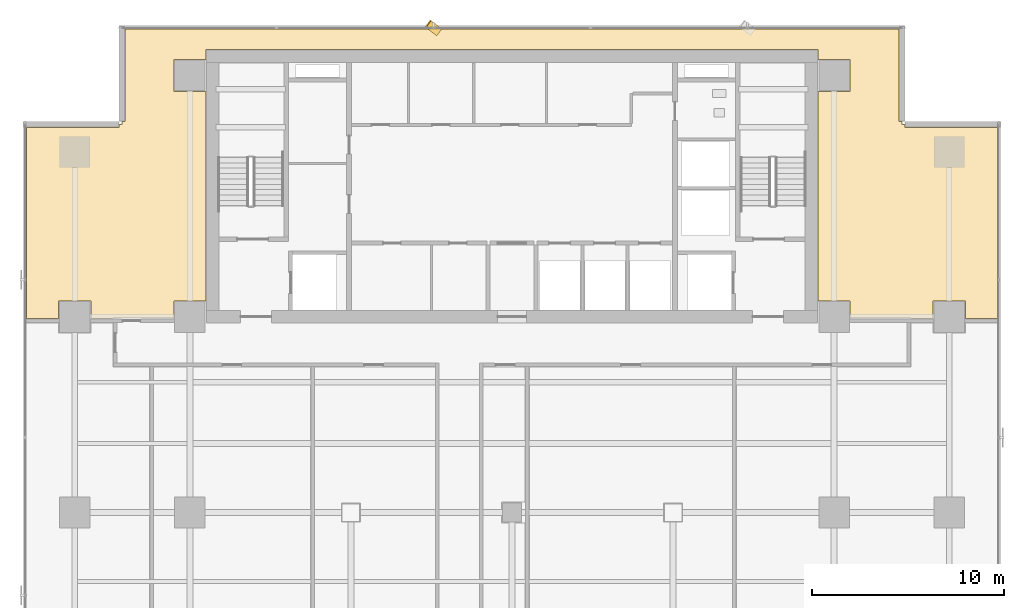
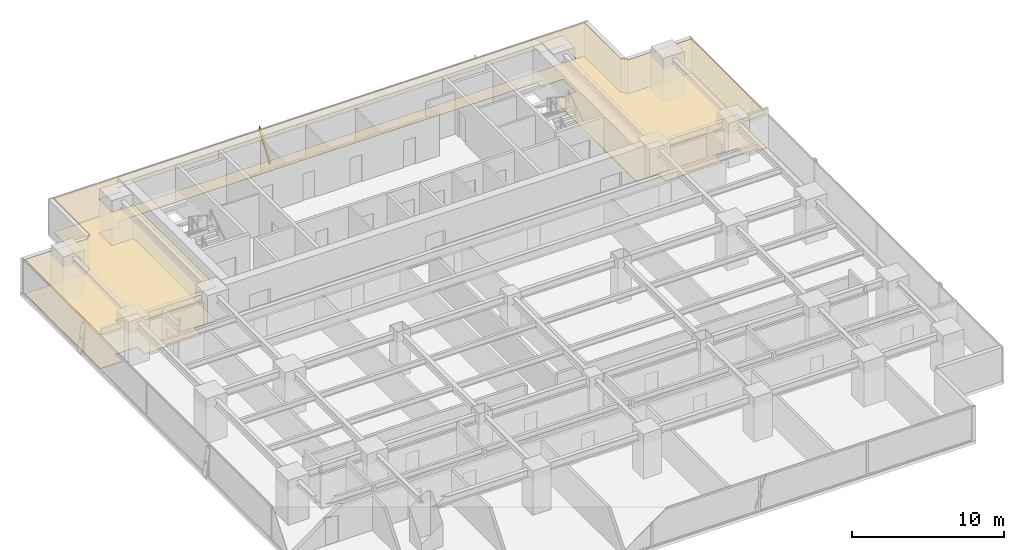
# One storey, part 34 of 36: 2 coverings, 1 shading device.
"""IFC4 building model written with IfcOpenShell, lengths in metres."""

import ifcopenshell
import ifcopenshell.guid

model = None  # the IFC model being written
_history = None  # IfcOwnerHistory: only IFC2X3 demands one
_inside = {}  # id of a spatial element -> (the spatial element, [elements in it])
_under = {}  # id of a project, library or spatial element -> (it, [spatial elements below it])
_declared = {}  # id of a project -> (the project, [libraries it declares])
_typed = {}  # id of a type object -> (the type object, [elements of that type])
_made_of = {}  # id of a material, layer set ... -> (it, [elements and type objects made of it])


def new_model(schema):
    """Start an empty IFC model of exactly this schema.

    Asked for "IFC4X3", IfcOpenShell would pick the latest addendum, in which some entities
    have other attributes; the version numbers below select the first issue.
    IFC2X3 requires an IfcOwnerHistory on every rooted entity: one is made here for all.
    """
    global model, _history
    if schema == "IFC4X3":
        model = ifcopenshell.file(schema_version=(4, 3, 0, 0))
    else:
        model = ifcopenshell.file(schema=schema)
    _inside.clear()
    _under.clear()
    _declared.clear()
    _typed.clear()
    _made_of.clear()
    _history = None
    if model.schema == "IFC2X3":
        org = make("IfcOrganization", Name="unknown")
        user = make(
            "IfcPersonAndOrganization",
            ThePerson=make("IfcPerson", FamilyName="unknown"),
            TheOrganization=org,
        )
        app = make(
            "IfcApplication",
            ApplicationDeveloper=org,
            Version="unknown",
            ApplicationFullName="unknown",
            ApplicationIdentifier="unknown",
        )
        _history = make(
            "IfcOwnerHistory",
            OwningUser=user,
            OwningApplication=app,
            ChangeAction="ADDED",
            CreationDate=0,
        )
    return model


def make(cls, **values):
    """One entity of the class cls with the attributes given. An attribute that is None is left unset."""
    return model.create_entity(
        cls, **{name: value for name, value in values.items() if value is not None}
    )


def rooted(cls, **values):
    """An entity with a GlobalId (a new one), such as an element, a storey or a relation."""
    return make(cls, GlobalId=ifcopenshell.guid.new(), OwnerHistory=_history, **values)


def si_unit(unit_type, name, prefix=None):
    """IfcSIUnit, for example si_unit("LENGTHUNIT", "METRE", prefix="MILLI")."""
    return make("IfcSIUnit", UnitType=unit_type, Prefix=prefix, Name=name)


def assignment(units):
    """IfcUnitAssignment: the units of a project."""
    return None if units is None else make("IfcUnitAssignment", Units=units)


def point(xyz):
    """IfcCartesianPoint."""
    return None if xyz is None else make("IfcCartesianPoint", Coordinates=xyz)


def direction(xyz):
    """IfcDirection."""
    return None if xyz is None else make("IfcDirection", DirectionRatios=xyz)


def frame(location, z_axis=None, x_axis=None):
    """IfcAxis2Placement3D, a coordinate frame: its origin and axes. An axis left out is left unset."""
    return make(
        "IfcAxis2Placement3D",
        Location=point(location),
        Axis=direction(z_axis),
        RefDirection=direction(x_axis),
    )


def frame_2d(location, x_axis=None):
    """IfcAxis2Placement2D, a coordinate frame in the plane: its origin and x axis."""
    return make(
        "IfcAxis2Placement2D", Location=point(location), RefDirection=direction(x_axis)
    )


def origin():
    """The frame at (0, 0, 0) with its axes left unset."""
    return frame((0.0, 0.0, 0.0))


def origin_2d():
    """The frame at (0, 0) in the plane with its x axis left unset."""
    return frame_2d((0.0, 0.0))


def place(relative_to, where):
    """IfcLocalPlacement: puts the frame where relative to a parent placement (None: the world)."""
    return make(
        "IfcLocalPlacement", PlacementRelTo=relative_to, RelativePlacement=where
    )


def context(
    kind, dimensions, precision=None, world=None, true_north=None, identifier=None
):
    """IfcGeometricRepresentationContext, for example the 3D "Model" context."""
    return make(
        "IfcGeometricRepresentationContext",
        ContextIdentifier=identifier,
        ContextType=kind,
        CoordinateSpaceDimension=dimensions,
        Precision=precision,
        WorldCoordinateSystem=world,
        TrueNorth=true_north,
    )


def subcontext(parent, identifier, kind, view, scale=None):
    """IfcGeometricRepresentationSubContext, for example "Body" below "Model"."""
    return make(
        "IfcGeometricRepresentationSubContext",
        ContextIdentifier=identifier,
        ContextType=kind,
        ParentContext=parent,
        TargetScale=scale,
        TargetView=view,
    )


def project(units=None, contexts=None):
    """IfcProject with its units and contexts."""
    return rooted(
        "IfcProject",
        Name="project",
        RepresentationContexts=contexts,
        UnitsInContext=assignment(units),
    )


def spatial(cls, under=None, at=None, **own):
    """A site, building, storey or space (cls), placed at a placement, below another one or the project."""
    s = rooted(cls, ObjectPlacement=at, **own)
    if under is not None:
        _under.setdefault(under.id(), (under, []))[1].append(s)
    return s


def polyline(points):
    """IfcPolyline through the points."""
    return make("IfcPolyline", Points=[point(p) for p in points])


def profile(cls, at=None, kind="AREA", **sizes):
    """A parametric profile (cls). Its sizes go by their IFC names, for example OverallWidth=200.0."""
    return make(cls, ProfileType=kind, Position=at, **sizes)


def rectangle(**sizes):
    """IfcRectangleProfileDef."""
    return profile("IfcRectangleProfileDef", **sizes)


def outline(outer, holes=None, kind="AREA"):
    """IfcArbitraryClosedProfileDef: a profile drawn as a closed curve; with holes, ...WithVoids."""
    if holes is None:
        return make("IfcArbitraryClosedProfileDef", ProfileType=kind, OuterCurve=outer)
    return make(
        "IfcArbitraryProfileDefWithVoids",
        ProfileType=kind,
        OuterCurve=outer,
        InnerCurves=holes,
    )


def extrude(swept, where, along, depth):
    """IfcExtrudedAreaSolid: the profile swept, set in the frame where, extruded along a direction by depth."""
    return make(
        "IfcExtrudedAreaSolid",
        SweptArea=swept,
        Position=where,
        ExtrudedDirection=direction(along),
        Depth=depth,
    )


def shape(context_of_items, identifier, shape_type, items):
    """IfcShapeRepresentation: the items that make up one representation, for example the "Body"."""
    return make(
        "IfcShapeRepresentation",
        ContextOfItems=context_of_items,
        RepresentationIdentifier=identifier,
        RepresentationType=shape_type,
        Items=items,
    )


def source(mapping_origin, context_of_items, identifier, shape_type, items):
    """IfcRepresentationMap: a shape defined once, which mapped items show again and again."""
    return make(
        "IfcRepresentationMap",
        MappingOrigin=mapping_origin,
        MappedRepresentation=shape(context_of_items, identifier, shape_type, items),
    )


def transform(
    local_origin,
    x_axis=None,
    y_axis=None,
    z_axis=None,
    scale=None,
    scale2=None,
    scale3=None,
    uniform=True,
):
    """IfcCartesianTransformationOperator3D, or its non-uniform kind. x_axis, y_axis, z_axis: its Axis1, 2, 3."""
    if uniform:
        return make(
            "IfcCartesianTransformationOperator3D",
            Axis1=direction(x_axis),
            Axis2=direction(y_axis),
            LocalOrigin=point(local_origin),
            Scale=scale,
            Axis3=direction(z_axis),
        )
    return make(
        "IfcCartesianTransformationOperator3DnonUniform",
        Axis1=direction(x_axis),
        Axis2=direction(y_axis),
        LocalOrigin=point(local_origin),
        Scale=scale,
        Axis3=direction(z_axis),
        Scale2=scale2,
        Scale3=scale3,
    )


def mapped(mapping_source, mapping_target):
    """IfcMappedItem: shows the shape of a source again, moved by a transform."""
    return make(
        "IfcMappedItem", MappingSource=mapping_source, MappingTarget=mapping_target
    )


def material(Name=None, Category=None):
    """IfcMaterial."""
    return make("IfcMaterial", Name=Name, Category=Category)


def layer(
    of_material, thickness, ventilated=None, Name=None, Category=None, Priority=None
):
    """IfcMaterialLayer: one layer of a wall or slab, of a material (None: an air gap)."""
    return make(
        "IfcMaterialLayer",
        Material=of_material,
        LayerThickness=thickness,
        IsVentilated=ventilated,
        Name=Name,
        Category=Category,
        Priority=Priority,
    )


def layer_set(layers, Name=None):
    """IfcMaterialLayerSet."""
    return make("IfcMaterialLayerSet", MaterialLayers=layers, LayerSetName=Name)


def material_profile(
    of_material, cross_section, Name=None, Category=None, Priority=None
):
    """IfcMaterialProfile: a cross section and its material."""
    return make(
        "IfcMaterialProfile",
        Name=Name,
        Material=of_material,
        Profile=cross_section,
        Priority=Priority,
        Category=Category,
    )


def profile_set(profiles, Name=None, composite=None):
    """IfcMaterialProfileSet."""
    return make(
        "IfcMaterialProfileSet",
        Name=Name,
        MaterialProfiles=profiles,
        CompositeProfile=composite,
    )


def made_of(thing, what):
    """Note that an element or type object is made of a material, layer set ...; save() writes the relation."""
    if what is not None:
        _made_of.setdefault(what.id(), (what, []))[1].append(thing)
    return thing


def type_object(cls, material=None, **own):
    """A type object (cls), such as IfcWallType, which elements share."""
    return made_of(rooted(cls, **own), material)


def element(
    cls,
    number,
    at=None,
    inside=None,
    cuts=None,
    type_object=None,
    material=None,
    context=None,
    identifier="Body",
    shape_type=None,
    held_by="IfcProductDefinitionShape",
    body=None,
    shapes=None,
    **own,
):
    """One element of the class cls, such as IfcWall. Its Tag is "e" and its number.

    at: its placement. inside: the storey or other place that contains it. cuts: it is an
    opening in that element (IfcRelVoidsElement). A single representation is given by context,
    identifier, shape_type and body (its items); several are given by shapes. held_by: the class
    of the entity that holds the representations. save() writes the other relations.
    """
    e = rooted(cls, Tag="e%d" % number, ObjectPlacement=at, **own)
    if body is not None:
        shapes = [shape(context, identifier, shape_type, body)]
    if shapes is not None:
        e.Representation = make(held_by, Representations=shapes)
    if inside is not None:
        _inside.setdefault(inside.id(), (inside, []))[1].append(e)
    if cuts is not None:
        rooted(
            "IfcRelVoidsElement", RelatingBuildingElement=cuts, RelatedOpeningElement=e
        )
    if type_object is not None:
        _typed.setdefault(type_object.id(), (type_object, []))[1].append(e)
    return made_of(e, material)


def aggregate(whole, parts):
    """IfcRelAggregates: a whole, such as a stair, and the parts it consists of."""
    return rooted("IfcRelAggregates", RelatingObject=whole, RelatedObjects=parts)


def save(model, path):
    """Write the relations noted so far, then the file.

    IfcRelAggregates (storeys below a building ...), IfcRelContainedInSpatialStructure (elements
    in a storey), IfcRelDefinesByType, IfcRelAssociatesMaterial and IfcRelDeclares: one each for
    every whole, place, type object, material and project.
    """
    for whole, parts in _under.values():
        aggregate(whole, parts)
    for where, things in _inside.values():
        rooted(
            "IfcRelContainedInSpatialStructure",
            RelatedElements=things,
            RelatingStructure=where,
        )
    for kind, things in _typed.values():
        rooted("IfcRelDefinesByType", RelatedObjects=things, RelatingType=kind)
    for what, things in _made_of.values():
        rooted("IfcRelAssociatesMaterial", RelatedObjects=things, RelatingMaterial=what)
    for by, libraries in _declared.values():
        rooted("IfcRelDeclares", RelatingContext=by, RelatedDefinitions=libraries)
    model.write(path)


model = new_model("IFC4")

# Units and contexts
model_context = context("Model", 3, precision=1e-05, world=origin(), true_north=direction((0.0, 1.0)))
body_context = subcontext(model_context, "Body", "Model", "MODEL_VIEW")
ifc_project = project(units=[si_unit("LENGTHUNIT", "METRE"), si_unit("AREAUNIT", "SQUARE_METRE"), si_unit("VOLUMEUNIT", "CUBIC_METRE"), si_unit("PLANEANGLEUNIT", "RADIAN"), si_unit("MASSUNIT", "GRAM", prefix="KILO")], contexts=[model_context])

# Site, building, storey
site_placement = place(None, origin())
site = spatial("IfcSite", under=ifc_project, at=site_placement, CompositionType="ELEMENT")
building_placement = place(site_placement, origin())
building = spatial("IfcBuilding", under=site, at=building_placement, Name="Sumidabori Civic Tower", CompositionType="ELEMENT")
storey_placement = place(building_placement, frame((0.0, 0.0, 113.60009765625)))
storey = spatial("IfcBuildingStorey", under=building, at=storey_placement, Name="L29", CompositionType="ELEMENT", Elevation=113.60009765625)

# Coverings
ifc_material_1 = material(Name="Perforated Timber Acoustic Ceiling", Category="wood")
ifc_layer_1 = layer(ifc_material_1, 0.044921875, Name="Perforated Timber Acoustic Ceiling")
ifc_layer_set_1 = layer_set([ifc_layer_1], Name="Perforated Timber Acoustic Ceiling")
covering_type_1 = type_object("IfcCoveringType", Name="CV-CEIL-AC2", PredefinedType="CEILING", material=ifc_layer_set_1)
covering_1_placement = place(storey_placement, frame((0.0, 0.0, 2.7099609375)))
element("IfcCovering", 1, at=covering_1_placement, inside=storey, type_object=covering_type_1, Name="Room Acoustic Ceiling L29-01", PredefinedType="CEILING", context=body_context, shape_type="SweptSolid", body=[
    extrude(outline(polyline([(-21.9599609375, 10.110107421875), (-21.9599609375, 11.0400390625), (-23.639892578125, 11.0400390625), (-23.639892578125, 10.110107421875), (-25.330078125, 10.110107421875), (-25.330078125, 20.072021484375), (-20.491943359375, 20.072021484375), (-20.491943359375, 20.22998046875), (-20.330078125, 20.22998046875), (-20.330078125, 20.39208984375), (-20.172119140625, 20.39208984375), (-20.172119140625, 25.22998046875), (20.172119140625, 25.22998046875), (20.172119140625, 20.39208984375), (20.330078125, 20.39208984375), (20.330078125, 20.22998046875), (20.491943359375, 20.22998046875), (20.491943359375, 20.072021484375), (25.330078125, 20.072021484375), (25.330078125, 10.110107421875), (23.639892578125, 10.110107421875), (23.639892578125, 11.0400390625), (21.9599609375, 11.0400390625), (21.9599609375, 10.110107421875), (20.800048828125, 10.110107421875), (20.800048828125, 10.14990234375), (17.639892578125, 10.14990234375), (17.639892578125, 11.0400390625), (15.952880859375, 11.0400390625), (15.952880859375, 21.9599609375), (17.639892578125, 21.9599609375), (17.639892578125, 23.639892578125), (15.952880859375, 23.639892578125), (15.952880859375, 24.153076171875), (-15.952880859375, 24.153076171875), (-15.952880859375, 23.639892578125), (-17.639892578125, 23.639892578125), (-17.639892578125, 21.9599609375), (-15.952880859375, 21.9599609375), (-15.952880859375, 11.0400390625), (-17.639892578125, 11.0400390625), (-17.639892578125, 10.14990234375), (-20.800048828125, 10.14990234375), (-20.800048828125, 10.110107421875), (-21.9599609375, 10.110107421875)])), origin(), (0.0, 0.0, 1.0), 0.044921875),
])
ifc_material_2 = material(Name="Honed Terrazzo Tile Flooring")
ifc_layer_2 = layer(ifc_material_2, 0.030029296875, Name="Honed Terrazzo Tile Flooring")
ifc_layer_set_2 = layer_set([ifc_layer_2], Name="Honed Terrazzo Tile Flooring")
covering_type_2 = type_object("IfcCoveringType", Name="CV-FLR-TER", PredefinedType="FLOORING", material=ifc_layer_set_2)
covering_2_placement = place(storey_placement, origin())
element("IfcCovering", 2, at=covering_2_placement, inside=storey, type_object=covering_type_2, Name="Room Terrazzo Floor L29-01", PredefinedType="FLOORING", context=body_context, shape_type="SweptSolid", body=[
    extrude(outline(polyline([(-21.9599609375, 10.110107421875), (-21.9599609375, 11.0400390625), (-23.639892578125, 11.0400390625), (-23.639892578125, 10.110107421875), (-25.330078125, 10.110107421875), (-25.330078125, 20.072021484375), (-20.491943359375, 20.072021484375), (-20.491943359375, 20.22998046875), (-20.330078125, 20.22998046875), (-20.330078125, 20.39208984375), (-20.172119140625, 20.39208984375), (-20.172119140625, 25.22998046875), (20.172119140625, 25.22998046875), (20.172119140625, 20.39208984375), (20.330078125, 20.39208984375), (20.330078125, 20.22998046875), (20.491943359375, 20.22998046875), (20.491943359375, 20.072021484375), (25.330078125, 20.072021484375), (25.330078125, 10.110107421875), (23.639892578125, 10.110107421875), (23.639892578125, 11.0400390625), (21.9599609375, 11.0400390625), (21.9599609375, 10.110107421875), (20.800048828125, 10.110107421875), (20.800048828125, 10.14990234375), (17.639892578125, 10.14990234375), (17.639892578125, 11.0400390625), (15.952880859375, 11.0400390625), (15.952880859375, 21.9599609375), (17.639892578125, 21.9599609375), (17.639892578125, 23.639892578125), (15.952880859375, 23.639892578125), (15.952880859375, 24.153076171875), (-15.952880859375, 24.153076171875), (-15.952880859375, 23.639892578125), (-17.639892578125, 23.639892578125), (-17.639892578125, 21.9599609375), (-15.952880859375, 21.9599609375), (-15.952880859375, 11.0400390625), (-17.639892578125, 11.0400390625), (-17.639892578125, 10.14990234375), (-20.800048828125, 10.14990234375), (-20.800048828125, 10.110107421875), (-21.9599609375, 10.110107421875)])), origin(), (0.0, 0.0, 1.0), 0.02978515625),
])

# Shading device
ifc_material_3 = material(Name="Anodised Bronze Aluminium AW-6063-T6", Category="aluminium")
ifc_material_profile = material_profile(ifc_material_3, rectangle(XDim=0.06005859375, YDim=0.449951171875, at=origin_2d()), Name="BRONZE FIN 450x60")
ifc_profile_set = profile_set([ifc_material_profile], Name="Anodised Bronze Aluminium AW-6063-T6")
shading_device_type = type_object("IfcShadingDeviceType", Name="SH-FIN-450", PredefinedType="USERDEFINED", material=ifc_profile_set)
shared_shape = source(origin(), body_context, "Body", "SweptSolid", [
    extrude(rectangle(XDim=0.06005859375, YDim=0.449951171875, at=origin_2d()), origin(), (0.0, 0.0, 1.0), 2.769775390625),
])
shading_device_placement = place(storey_placement, frame((-3.81396484375, 25.070068359375, 0.02001953125), z_axis=(-0.202198633998, 0.151604904305, 0.967538973582), x_axis=(0.774112159528, -0.58041539424, 0.252721852241)))
element("IfcShadingDevice", 3, at=shading_device_placement, inside=storey, type_object=shading_device_type, Name="Bronze Anodised Diagonal Fin L29-03", ObjectType="FIN", PredefinedType="USERDEFINED", context=body_context, shape_type="MappedRepresentation", body=[
    mapped(shared_shape, transform((0.0, 0.0, 0.0), x_axis=(1.0, 0.0, 0.0), y_axis=(0.0, 1.0, 0.0), z_axis=(0.0, 0.0, 1.0), scale=1.0)),
])

save(model, "model.ifc")
